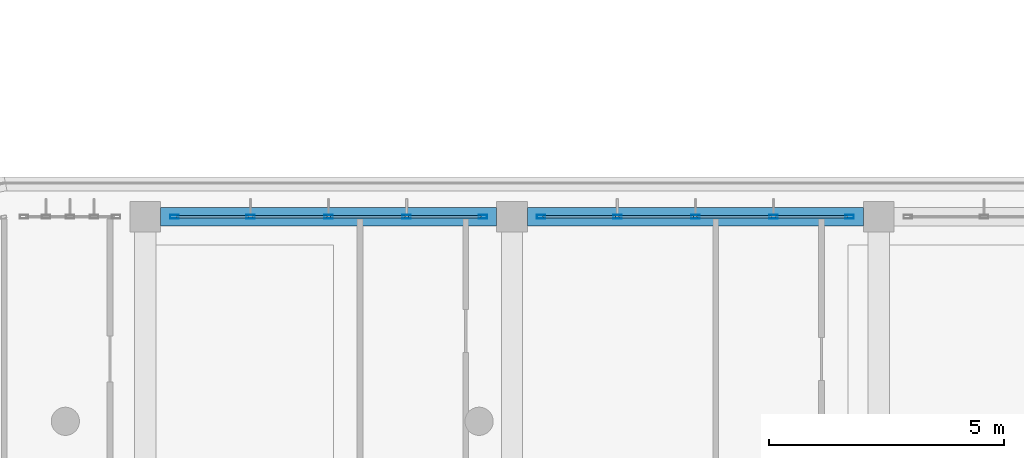
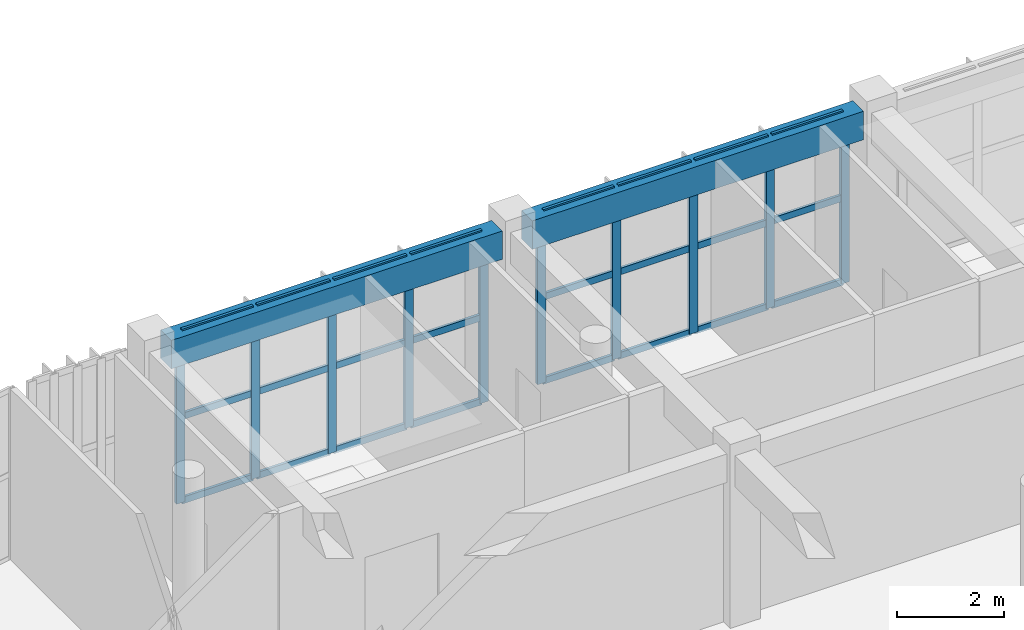
# One storey, part 11 of 63: 34 members, 2 beams, 2 elements without a shape of their own.
"""IFC4 building model written with IfcOpenShell, lengths in metres."""

from ifc_helpers import new_model, si_unit, direction, frame, origin, origin_2d, place, context, subcontext, project, spatial, rectangle, hollow_rectangle, extrude, material, layer, layer_set, material_profile, profile_set, type_object, element, aggregate, save


model = new_model("IFC4")

# Units and contexts
model_context = context("Model", 3, precision=1e-05, world=origin(), true_north=direction((0.0, 1.0)))
body_context = subcontext(model_context, "Body", "Model", "MODEL_VIEW")
ifc_project = project(units=[si_unit("LENGTHUNIT", "METRE"), si_unit("AREAUNIT", "SQUARE_METRE"), si_unit("VOLUMEUNIT", "CUBIC_METRE"), si_unit("PLANEANGLEUNIT", "RADIAN"), si_unit("MASSUNIT", "GRAM", prefix="KILO")], contexts=[model_context])

# Site, building, storey
site_placement = place(None, origin())
site = spatial("IfcSite", under=ifc_project, at=site_placement, CompositionType="ELEMENT")
building_placement = place(site_placement, origin())
building = spatial("IfcBuilding", under=site, at=building_placement, Name="Zizhar Promenade General Hospital", CompositionType="ELEMENT")
storey_placement = place(building_placement, frame((0.0, 0.0, 18.0)))
storey = spatial("IfcBuildingStorey", under=building, at=storey_placement, Name="L04", CompositionType="ELEMENT", Elevation=18.0)

# Beams
ifc_material_1 = material(Name="Concrete C35/45", Category="concrete")
ifc_material_profile_1 = material_profile(ifc_material_1, rectangle(XDim=0.39990234375, YDim=0.64990234375, at=origin_2d()))
ifc_profile_set_1 = profile_set([ifc_material_profile_1], Name="Concrete C35/45")
beam_type = type_object("IfcBeamType", Name="BM-RC-400x650", PredefinedType="BEAM", material=ifc_profile_set_1)
for number, where, z_axis, x_axis, name in (
    (1, (31.52490234375, 25.199951171875, 3.5849609375), (1.0, 0.0, 0.0), (0.0, 1.0, 0.0), "Grid Beam X L04 (4-3)"),
    (2, (39.324951171875, 25.199951171875, 3.5849609375), (1.0, 0.0, 0.0), (0.0, 1.0, 0.0), "Grid Beam X L04 (5-3)"),
):
    element("IfcBeam", number, at=place(storey_placement, frame(where, z_axis=z_axis, x_axis=x_axis)), inside=storey, type_object=beam_type, Name=name, PredefinedType="BEAM", context=body_context, shape_type="SweptSolid", body=[
        extrude(rectangle(XDim=0.39990234375, YDim=0.64990234375, at=origin_2d()), origin(), (0.0, 0.0, 1.0), 7.150146484375),
    ])

# Curtain wall, members
ifc_material_2 = material(Name="Anodised aluminium 6063-T6 and low-E glass", Category="aluminium")
ifc_layer = layer(ifc_material_2, 0.159912109375)
ifc_layer_set = layer_set([ifc_layer], Name="Anodised aluminium 6063-T6 and low-E glass")
curtain_wall_type = type_object("IfcCurtainWallType", Name="CW-WARD-RIB", PredefinedType="NOTDEFINED", material=ifc_layer_set)
curtain_wall_1_placement = place(storey_placement, origin())
curtain_wall_1 = element("IfcCurtainWall", 3, at=curtain_wall_1_placement, inside=storey, type_object=curtain_wall_type, Name="Ward Ribbon Curtain Wall L04-8-1", PredefinedType="NOTDEFINED")
ifc_material_3 = material(Name="Anodised aluminium 6063-T6", Category="aluminium")
ifc_material_profile_2 = material_profile(ifc_material_3, hollow_rectangle(XDim=0.080078125, YDim=0.179931640625, WallThickness=0.0048828125, at=origin_2d()))
ifc_profile_set_2 = profile_set([ifc_material_profile_2], Name="Anodised aluminium 6063-T6")
member_type_1 = type_object("IfcMemberType", Name="CWM-ALU-180x80", PredefinedType="MULLION", material=ifc_profile_set_2)
member_1_placement = place(storey_placement, frame((31.820068359375, 25.199951171875, 0.0), z_axis=(0.0, 0.0, 1.0), x_axis=(0.0, 1.0, 0.0)))
member_1 = element("IfcMember", 4, at=member_1_placement, type_object=member_type_1, Name="CW-13 mullion 1", PredefinedType="MULLION", context=body_context, shape_type="SweptSolid", body=[
    extrude(hollow_rectangle(XDim=0.080078125, YDim=0.179931640625, WallThickness=0.0048828125, at=origin_2d()), origin(), (0.0, 0.0, 1.0), 3.89990234375),
])
member_2_placement = place(storey_placement, frame((33.43994140625, 25.199951171875, 0.0), z_axis=(0.0, 0.0, 1.0), x_axis=(0.0, 1.0, 0.0)))
member_2 = element("IfcMember", 5, at=member_2_placement, type_object=member_type_1, Name="CW-13 mullion 2", PredefinedType="MULLION", context=body_context, shape_type="SweptSolid", body=[
    extrude(hollow_rectangle(XDim=0.080078125, YDim=0.179931640625, WallThickness=0.0048828125, at=origin_2d()), origin(), (0.0, 0.0, 1.0), 3.89990234375),
])
member_3_placement = place(storey_placement, frame((35.10009765625, 25.199951171875, 0.0), z_axis=(0.0, 0.0, 1.0), x_axis=(0.0, 1.0, 0.0)))
member_3 = element("IfcMember", 6, at=member_3_placement, type_object=member_type_1, Name="CW-13 mullion 3", PredefinedType="MULLION", context=body_context, shape_type="SweptSolid", body=[
    extrude(hollow_rectangle(XDim=0.080078125, YDim=0.179931640625, WallThickness=0.0048828125, at=origin_2d()), origin(), (0.0, 0.0, 1.0), 3.89990234375),
])
member_4_placement = place(storey_placement, frame((36.760009765625, 25.199951171875, 0.0), z_axis=(0.0, 0.0, 1.0), x_axis=(0.0, 1.0, 0.0)))
member_4 = element("IfcMember", 7, at=member_4_placement, type_object=member_type_1, Name="CW-13 mullion 4", PredefinedType="MULLION", context=body_context, shape_type="SweptSolid", body=[
    extrude(hollow_rectangle(XDim=0.080078125, YDim=0.179931640625, WallThickness=0.0048828125, at=origin_2d()), origin(), (0.0, 0.0, 1.0), 3.89990234375),
])
member_5_placement = place(storey_placement, frame((38.3798828125, 25.199951171875, 0.0), z_axis=(0.0, 0.0, 1.0), x_axis=(0.0, 1.0, 0.0)))
member_5 = element("IfcMember", 8, at=member_5_placement, type_object=member_type_1, Name="CW-13 mullion 5", PredefinedType="MULLION", context=body_context, shape_type="SweptSolid", body=[
    extrude(hollow_rectangle(XDim=0.080078125, YDim=0.179931640625, WallThickness=0.0048828125, at=origin_2d()), origin(), (0.0, 0.0, 1.0), 3.89990234375),
])

curtain_wall_2_placement = place(storey_placement, origin())
curtain_wall_2 = element("IfcCurtainWall", 9, at=curtain_wall_2_placement, inside=storey, type_object=curtain_wall_type, Name="Ward Ribbon Curtain Wall L04-8-2", PredefinedType="NOTDEFINED")
member_6_placement = place(storey_placement, frame((39.6201171875, 25.199951171875, 0.0), z_axis=(0.0, 0.0, 1.0), x_axis=(0.0, 1.0, 0.0)))
member_6 = element("IfcMember", 10, at=member_6_placement, type_object=member_type_1, Name="CW-13 mullion 1", PredefinedType="MULLION", context=body_context, shape_type="SweptSolid", body=[
    extrude(hollow_rectangle(XDim=0.080078125, YDim=0.179931640625, WallThickness=0.0048828125, at=origin_2d()), origin(), (0.0, 0.0, 1.0), 3.89990234375),
])
member_7_placement = place(storey_placement, frame((41.239990234375, 25.199951171875, 0.0), z_axis=(0.0, 0.0, 1.0), x_axis=(0.0, 1.0, 0.0)))
member_7 = element("IfcMember", 11, at=member_7_placement, type_object=member_type_1, Name="CW-13 mullion 2", PredefinedType="MULLION", context=body_context, shape_type="SweptSolid", body=[
    extrude(hollow_rectangle(XDim=0.080078125, YDim=0.179931640625, WallThickness=0.0048828125, at=origin_2d()), origin(), (0.0, 0.0, 1.0), 3.89990234375),
])
member_8_placement = place(storey_placement, frame((42.89990234375, 25.199951171875, 0.0), z_axis=(0.0, 0.0, 1.0), x_axis=(0.0, 1.0, 0.0)))
member_8 = element("IfcMember", 12, at=member_8_placement, type_object=member_type_1, Name="CW-13 mullion 3", PredefinedType="MULLION", context=body_context, shape_type="SweptSolid", body=[
    extrude(hollow_rectangle(XDim=0.080078125, YDim=0.179931640625, WallThickness=0.0048828125, at=origin_2d()), origin(), (0.0, 0.0, 1.0), 3.89990234375),
])
member_9_placement = place(storey_placement, frame((44.56005859375, 25.199951171875, 0.0), z_axis=(0.0, 0.0, 1.0), x_axis=(0.0, 1.0, 0.0)))
member_9 = element("IfcMember", 13, at=member_9_placement, type_object=member_type_1, Name="CW-13 mullion 4", PredefinedType="MULLION", context=body_context, shape_type="SweptSolid", body=[
    extrude(hollow_rectangle(XDim=0.080078125, YDim=0.179931640625, WallThickness=0.0048828125, at=origin_2d()), origin(), (0.0, 0.0, 1.0), 3.89990234375),
])
member_10_placement = place(storey_placement, frame((46.179931640625, 25.199951171875, 0.0), z_axis=(0.0, 0.0, 1.0), x_axis=(0.0, 1.0, 0.0)))
member_10 = element("IfcMember", 14, at=member_10_placement, type_object=member_type_1, Name="CW-13 mullion 5", PredefinedType="MULLION", context=body_context, shape_type="SweptSolid", body=[
    extrude(hollow_rectangle(XDim=0.080078125, YDim=0.179931640625, WallThickness=0.0048828125, at=origin_2d()), origin(), (0.0, 0.0, 1.0), 3.89990234375),
])

# Member
ifc_material_4 = material(Name="Anodised aluminium 6063-T6", Category="aluminium")
ifc_material_profile_3 = material_profile(ifc_material_4, hollow_rectangle(XDim=0.06005859375, YDim=0.14990234375, WallThickness=0.00390625, at=origin_2d()))
ifc_profile_set_3 = profile_set([ifc_material_profile_3], Name="Anodised aluminium 6063-T6")
member_type_2 = type_object("IfcMemberType", Name="CWT-ALU-150x60", PredefinedType="USERDEFINED", material=ifc_profile_set_3)
member_11_placement = place(storey_placement, frame((31.860107421875, 25.199951171875, 0.030029296875), z_axis=(1.0, 0.0, 0.0), x_axis=(0.0, 1.0, 0.0)))
member_11 = element("IfcMember", 15, at=member_11_placement, type_object=member_type_2, Name="CW-13 transom 1.1", ObjectType="TRANSOM", PredefinedType="USERDEFINED", context=body_context, shape_type="SweptSolid", body=[
    extrude(hollow_rectangle(XDim=0.06005859375, YDim=0.14990234375, WallThickness=0.00390625, at=origin_2d()), origin(), (0.0, 0.0, 1.0), 1.539794921875),
])

member_12_placement = place(storey_placement, frame((31.860107421875, 25.199951171875, 1.949951171875), z_axis=(1.0, 0.0, 0.0), x_axis=(0.0, 1.0, 0.0)))
member_12 = element("IfcMember", 16, at=member_12_placement, type_object=member_type_2, Name="CW-13 transom 1.2", ObjectType="TRANSOM", PredefinedType="USERDEFINED", context=body_context, shape_type="SweptSolid", body=[
    extrude(hollow_rectangle(XDim=0.06005859375, YDim=0.14990234375, WallThickness=0.00390625, at=origin_2d()), origin(), (0.0, 0.0, 1.0), 1.539794921875),
])

member_13_placement = place(storey_placement, frame((31.860107421875, 25.199951171875, 3.8701171875), z_axis=(1.0, 0.0, 0.0), x_axis=(0.0, 1.0, 0.0)))
member_13 = element("IfcMember", 17, at=member_13_placement, type_object=member_type_2, Name="CW-13 transom 1.3", ObjectType="TRANSOM", PredefinedType="USERDEFINED", context=body_context, shape_type="SweptSolid", body=[
    extrude(hollow_rectangle(XDim=0.06005859375, YDim=0.14990234375, WallThickness=0.00390625, at=origin_2d()), origin(), (0.0, 0.0, 1.0), 1.539794921875),
])

member_14_placement = place(storey_placement, frame((33.47998046875, 25.199951171875, 0.030029296875), z_axis=(1.0, 0.0, 0.0), x_axis=(0.0, 1.0, 0.0)))
member_14 = element("IfcMember", 18, at=member_14_placement, type_object=member_type_2, Name="CW-13 transom 2.1", ObjectType="TRANSOM", PredefinedType="USERDEFINED", context=body_context, shape_type="SweptSolid", body=[
    extrude(hollow_rectangle(XDim=0.06005859375, YDim=0.14990234375, WallThickness=0.00390625, at=origin_2d()), origin(), (0.0, 0.0, 1.0), 1.580078125),
])

member_15_placement = place(storey_placement, frame((33.47998046875, 25.199951171875, 1.949951171875), z_axis=(1.0, 0.0, 0.0), x_axis=(0.0, 1.0, 0.0)))
member_15 = element("IfcMember", 19, at=member_15_placement, type_object=member_type_2, Name="CW-13 transom 2.2", ObjectType="TRANSOM", PredefinedType="USERDEFINED", context=body_context, shape_type="SweptSolid", body=[
    extrude(hollow_rectangle(XDim=0.06005859375, YDim=0.14990234375, WallThickness=0.00390625, at=origin_2d()), origin(), (0.0, 0.0, 1.0), 1.580078125),
])

member_16_placement = place(storey_placement, frame((33.47998046875, 25.199951171875, 3.8701171875), z_axis=(1.0, 0.0, 0.0), x_axis=(0.0, 1.0, 0.0)))
member_16 = element("IfcMember", 20, at=member_16_placement, type_object=member_type_2, Name="CW-13 transom 2.3", ObjectType="TRANSOM", PredefinedType="USERDEFINED", context=body_context, shape_type="SweptSolid", body=[
    extrude(hollow_rectangle(XDim=0.06005859375, YDim=0.14990234375, WallThickness=0.00390625, at=origin_2d()), origin(), (0.0, 0.0, 1.0), 1.580078125),
])

member_17_placement = place(storey_placement, frame((35.139892578125, 25.199951171875, 0.030029296875), z_axis=(1.0, 0.0, 0.0), x_axis=(0.0, 1.0, 0.0)))
member_17 = element("IfcMember", 21, at=member_17_placement, type_object=member_type_2, Name="CW-13 transom 3.1", ObjectType="TRANSOM", PredefinedType="USERDEFINED", context=body_context, shape_type="SweptSolid", body=[
    extrude(hollow_rectangle(XDim=0.06005859375, YDim=0.14990234375, WallThickness=0.00390625, at=origin_2d()), origin(), (0.0, 0.0, 1.0), 1.580078125),
])

member_18_placement = place(storey_placement, frame((35.139892578125, 25.199951171875, 1.949951171875), z_axis=(1.0, 0.0, 0.0), x_axis=(0.0, 1.0, 0.0)))
member_18 = element("IfcMember", 22, at=member_18_placement, type_object=member_type_2, Name="CW-13 transom 3.2", ObjectType="TRANSOM", PredefinedType="USERDEFINED", context=body_context, shape_type="SweptSolid", body=[
    extrude(hollow_rectangle(XDim=0.06005859375, YDim=0.14990234375, WallThickness=0.00390625, at=origin_2d()), origin(), (0.0, 0.0, 1.0), 1.580078125),
])

member_19_placement = place(storey_placement, frame((35.139892578125, 25.199951171875, 3.8701171875), z_axis=(1.0, 0.0, 0.0), x_axis=(0.0, 1.0, 0.0)))
member_19 = element("IfcMember", 23, at=member_19_placement, type_object=member_type_2, Name="CW-13 transom 3.3", ObjectType="TRANSOM", PredefinedType="USERDEFINED", context=body_context, shape_type="SweptSolid", body=[
    extrude(hollow_rectangle(XDim=0.06005859375, YDim=0.14990234375, WallThickness=0.00390625, at=origin_2d()), origin(), (0.0, 0.0, 1.0), 1.580078125),
])

member_20_placement = place(storey_placement, frame((36.800048828125, 25.199951171875, 0.030029296875), z_axis=(1.0, 0.0, 0.0), x_axis=(0.0, 1.0, 0.0)))
member_20 = element("IfcMember", 24, at=member_20_placement, type_object=member_type_2, Name="CW-13 transom 4.1", ObjectType="TRANSOM", PredefinedType="USERDEFINED", context=body_context, shape_type="SweptSolid", body=[
    extrude(hollow_rectangle(XDim=0.06005859375, YDim=0.14990234375, WallThickness=0.00390625, at=origin_2d()), origin(), (0.0, 0.0, 1.0), 1.5400390625),
])

member_21_placement = place(storey_placement, frame((36.800048828125, 25.199951171875, 1.949951171875), z_axis=(1.0, 0.0, 0.0), x_axis=(0.0, 1.0, 0.0)))
member_21 = element("IfcMember", 25, at=member_21_placement, type_object=member_type_2, Name="CW-13 transom 4.2", ObjectType="TRANSOM", PredefinedType="USERDEFINED", context=body_context, shape_type="SweptSolid", body=[
    extrude(hollow_rectangle(XDim=0.06005859375, YDim=0.14990234375, WallThickness=0.00390625, at=origin_2d()), origin(), (0.0, 0.0, 1.0), 1.5400390625),
])

member_22_placement = place(storey_placement, frame((36.800048828125, 25.199951171875, 3.8701171875), z_axis=(1.0, 0.0, 0.0), x_axis=(0.0, 1.0, 0.0)))
member_22 = element("IfcMember", 26, at=member_22_placement, type_object=member_type_2, Name="CW-13 transom 4.3", ObjectType="TRANSOM", PredefinedType="USERDEFINED", context=body_context, shape_type="SweptSolid", body=[
    extrude(hollow_rectangle(XDim=0.06005859375, YDim=0.14990234375, WallThickness=0.00390625, at=origin_2d()), origin(), (0.0, 0.0, 1.0), 1.5400390625),
])

aggregate(curtain_wall_1, [member_1, member_2, member_3, member_4, member_5, member_11, member_12, member_13, member_14, member_15, member_16, member_17, member_18, member_19, member_20, member_21, member_22])

member_23_placement = place(storey_placement, frame((39.659912109375, 25.199951171875, 0.030029296875), z_axis=(1.0, 0.0, 0.0), x_axis=(0.0, 1.0, 0.0)))
member_23 = element("IfcMember", 27, at=member_23_placement, type_object=member_type_2, Name="CW-13 transom 1.1", ObjectType="TRANSOM", PredefinedType="USERDEFINED", context=body_context, shape_type="SweptSolid", body=[
    extrude(hollow_rectangle(XDim=0.06005859375, YDim=0.14990234375, WallThickness=0.00390625, at=origin_2d()), origin(), (0.0, 0.0, 1.0), 1.5400390625),
])

member_24_placement = place(storey_placement, frame((39.659912109375, 25.199951171875, 1.949951171875), z_axis=(1.0, 0.0, 0.0), x_axis=(0.0, 1.0, 0.0)))
member_24 = element("IfcMember", 28, at=member_24_placement, type_object=member_type_2, Name="CW-13 transom 1.2", ObjectType="TRANSOM", PredefinedType="USERDEFINED", context=body_context, shape_type="SweptSolid", body=[
    extrude(hollow_rectangle(XDim=0.06005859375, YDim=0.14990234375, WallThickness=0.00390625, at=origin_2d()), origin(), (0.0, 0.0, 1.0), 1.5400390625),
])

member_25_placement = place(storey_placement, frame((39.659912109375, 25.199951171875, 3.8701171875), z_axis=(1.0, 0.0, 0.0), x_axis=(0.0, 1.0, 0.0)))
member_25 = element("IfcMember", 29, at=member_25_placement, type_object=member_type_2, Name="CW-13 transom 1.3", ObjectType="TRANSOM", PredefinedType="USERDEFINED", context=body_context, shape_type="SweptSolid", body=[
    extrude(hollow_rectangle(XDim=0.06005859375, YDim=0.14990234375, WallThickness=0.00390625, at=origin_2d()), origin(), (0.0, 0.0, 1.0), 1.5400390625),
])

member_26_placement = place(storey_placement, frame((41.280029296875, 25.199951171875, 0.030029296875), z_axis=(1.0, 0.0, 0.0), x_axis=(0.0, 1.0, 0.0)))
member_26 = element("IfcMember", 30, at=member_26_placement, type_object=member_type_2, Name="CW-13 transom 2.1", ObjectType="TRANSOM", PredefinedType="USERDEFINED", context=body_context, shape_type="SweptSolid", body=[
    extrude(hollow_rectangle(XDim=0.06005859375, YDim=0.14990234375, WallThickness=0.00390625, at=origin_2d()), origin(), (0.0, 0.0, 1.0), 1.580078125),
])

member_27_placement = place(storey_placement, frame((41.280029296875, 25.199951171875, 1.949951171875), z_axis=(1.0, 0.0, 0.0), x_axis=(0.0, 1.0, 0.0)))
member_27 = element("IfcMember", 31, at=member_27_placement, type_object=member_type_2, Name="CW-13 transom 2.2", ObjectType="TRANSOM", PredefinedType="USERDEFINED", context=body_context, shape_type="SweptSolid", body=[
    extrude(hollow_rectangle(XDim=0.06005859375, YDim=0.14990234375, WallThickness=0.00390625, at=origin_2d()), origin(), (0.0, 0.0, 1.0), 1.580078125),
])

member_28_placement = place(storey_placement, frame((41.280029296875, 25.199951171875, 3.8701171875), z_axis=(1.0, 0.0, 0.0), x_axis=(0.0, 1.0, 0.0)))
member_28 = element("IfcMember", 32, at=member_28_placement, type_object=member_type_2, Name="CW-13 transom 2.3", ObjectType="TRANSOM", PredefinedType="USERDEFINED", context=body_context, shape_type="SweptSolid", body=[
    extrude(hollow_rectangle(XDim=0.06005859375, YDim=0.14990234375, WallThickness=0.00390625, at=origin_2d()), origin(), (0.0, 0.0, 1.0), 1.580078125),
])

member_29_placement = place(storey_placement, frame((42.93994140625, 25.199951171875, 0.030029296875), z_axis=(1.0, 0.0, 0.0), x_axis=(0.0, 1.0, 0.0)))
member_29 = element("IfcMember", 33, at=member_29_placement, type_object=member_type_2, Name="CW-13 transom 3.1", ObjectType="TRANSOM", PredefinedType="USERDEFINED", context=body_context, shape_type="SweptSolid", body=[
    extrude(hollow_rectangle(XDim=0.06005859375, YDim=0.14990234375, WallThickness=0.00390625, at=origin_2d()), origin(), (0.0, 0.0, 1.0), 1.580078125),
])

member_30_placement = place(storey_placement, frame((42.93994140625, 25.199951171875, 1.949951171875), z_axis=(1.0, 0.0, 0.0), x_axis=(0.0, 1.0, 0.0)))
member_30 = element("IfcMember", 34, at=member_30_placement, type_object=member_type_2, Name="CW-13 transom 3.2", ObjectType="TRANSOM", PredefinedType="USERDEFINED", context=body_context, shape_type="SweptSolid", body=[
    extrude(hollow_rectangle(XDim=0.06005859375, YDim=0.14990234375, WallThickness=0.00390625, at=origin_2d()), origin(), (0.0, 0.0, 1.0), 1.580078125),
])

member_31_placement = place(storey_placement, frame((42.93994140625, 25.199951171875, 3.8701171875), z_axis=(1.0, 0.0, 0.0), x_axis=(0.0, 1.0, 0.0)))
member_31 = element("IfcMember", 35, at=member_31_placement, type_object=member_type_2, Name="CW-13 transom 3.3", ObjectType="TRANSOM", PredefinedType="USERDEFINED", context=body_context, shape_type="SweptSolid", body=[
    extrude(hollow_rectangle(XDim=0.06005859375, YDim=0.14990234375, WallThickness=0.00390625, at=origin_2d()), origin(), (0.0, 0.0, 1.0), 1.580078125),
])

member_32_placement = place(storey_placement, frame((44.60009765625, 25.199951171875, 0.030029296875), z_axis=(1.0, 0.0, 0.0), x_axis=(0.0, 1.0, 0.0)))
member_32 = element("IfcMember", 36, at=member_32_placement, type_object=member_type_2, Name="CW-13 transom 4.1", ObjectType="TRANSOM", PredefinedType="USERDEFINED", context=body_context, shape_type="SweptSolid", body=[
    extrude(hollow_rectangle(XDim=0.06005859375, YDim=0.14990234375, WallThickness=0.00390625, at=origin_2d()), origin(), (0.0, 0.0, 1.0), 1.539794921875),
])

member_33_placement = place(storey_placement, frame((44.60009765625, 25.199951171875, 1.949951171875), z_axis=(1.0, 0.0, 0.0), x_axis=(0.0, 1.0, 0.0)))
member_33 = element("IfcMember", 37, at=member_33_placement, type_object=member_type_2, Name="CW-13 transom 4.2", ObjectType="TRANSOM", PredefinedType="USERDEFINED", context=body_context, shape_type="SweptSolid", body=[
    extrude(hollow_rectangle(XDim=0.06005859375, YDim=0.14990234375, WallThickness=0.00390625, at=origin_2d()), origin(), (0.0, 0.0, 1.0), 1.539794921875),
])

member_34_placement = place(storey_placement, frame((44.60009765625, 25.199951171875, 3.8701171875), z_axis=(1.0, 0.0, 0.0), x_axis=(0.0, 1.0, 0.0)))
member_34 = element("IfcMember", 38, at=member_34_placement, type_object=member_type_2, Name="CW-13 transom 4.3", ObjectType="TRANSOM", PredefinedType="USERDEFINED", context=body_context, shape_type="SweptSolid", body=[
    extrude(hollow_rectangle(XDim=0.06005859375, YDim=0.14990234375, WallThickness=0.00390625, at=origin_2d()), origin(), (0.0, 0.0, 1.0), 1.539794921875),
])

aggregate(curtain_wall_2, [member_6, member_7, member_8, member_9, member_10, member_23, member_24, member_25, member_26, member_27, member_28, member_29, member_30, member_31, member_32, member_33, member_34])

save(model, "model.ifc")
